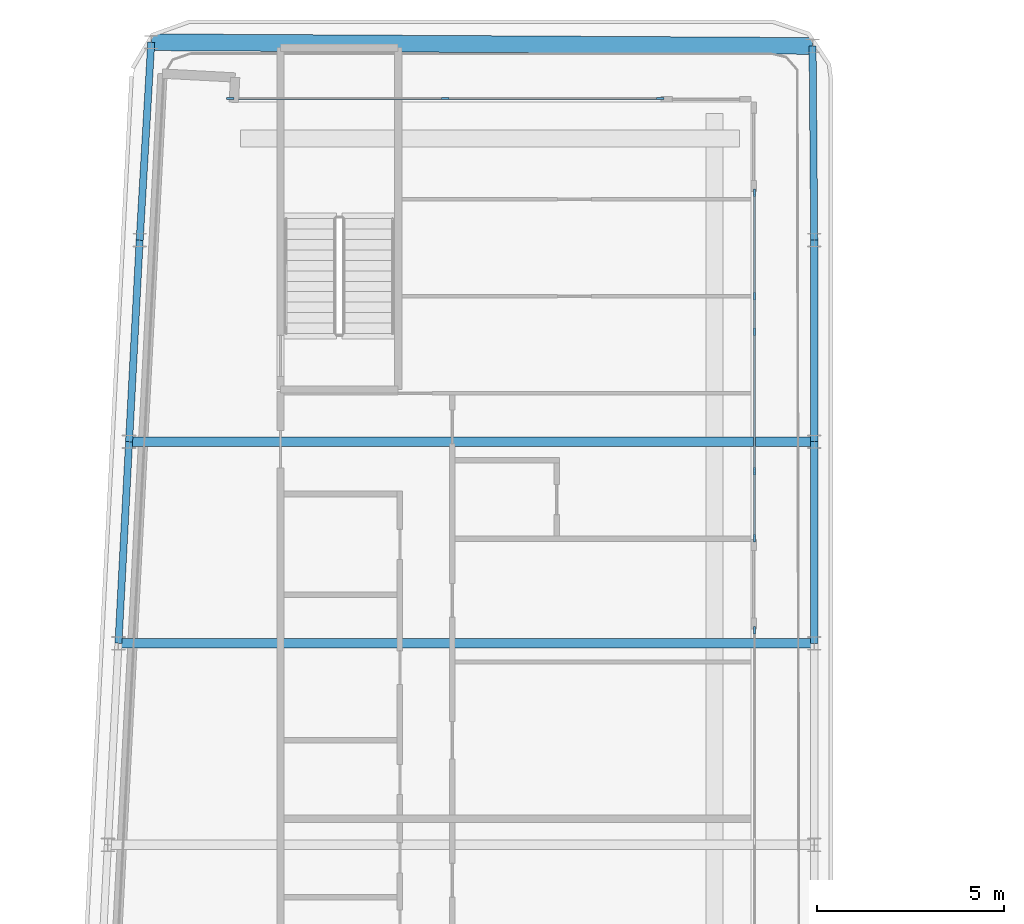
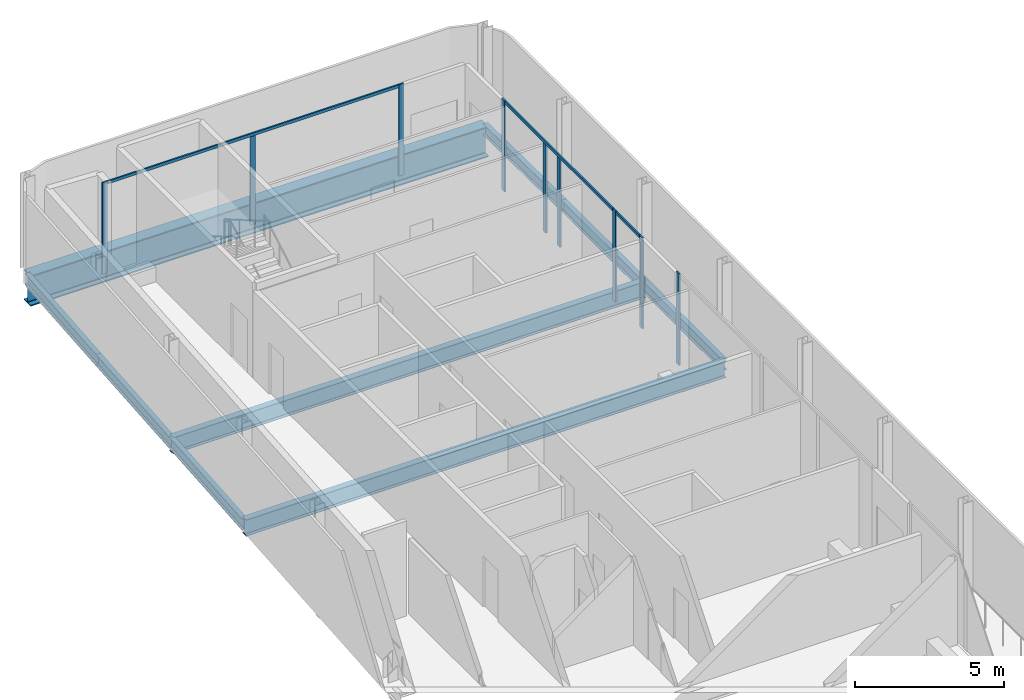
# One storey, part 6 of 17: 12 members, 9 beams, 4 elements without a shape of their own.
"""IFC4 building model written with IfcOpenShell, lengths in metres."""

import ifcopenshell
import ifcopenshell.guid

model = None  # the IFC model being written
_history = None  # IfcOwnerHistory: only IFC2X3 demands one
_inside = {}  # id of a spatial element -> (the spatial element, [elements in it])
_under = {}  # id of a project, library or spatial element -> (it, [spatial elements below it])
_declared = {}  # id of a project -> (the project, [libraries it declares])
_typed = {}  # id of a type object -> (the type object, [elements of that type])
_made_of = {}  # id of a material, layer set ... -> (it, [elements and type objects made of it])


def new_model(schema):
    """Start an empty IFC model of exactly this schema.

    Asked for "IFC4X3", IfcOpenShell would pick the latest addendum, in which some entities
    have other attributes; the version numbers below select the first issue.
    IFC2X3 requires an IfcOwnerHistory on every rooted entity: one is made here for all.
    """
    global model, _history
    if schema == "IFC4X3":
        model = ifcopenshell.file(schema_version=(4, 3, 0, 0))
    else:
        model = ifcopenshell.file(schema=schema)
    _inside.clear()
    _under.clear()
    _declared.clear()
    _typed.clear()
    _made_of.clear()
    _history = None
    if model.schema == "IFC2X3":
        org = make("IfcOrganization", Name="unknown")
        user = make(
            "IfcPersonAndOrganization",
            ThePerson=make("IfcPerson", FamilyName="unknown"),
            TheOrganization=org,
        )
        app = make(
            "IfcApplication",
            ApplicationDeveloper=org,
            Version="unknown",
            ApplicationFullName="unknown",
            ApplicationIdentifier="unknown",
        )
        _history = make(
            "IfcOwnerHistory",
            OwningUser=user,
            OwningApplication=app,
            ChangeAction="ADDED",
            CreationDate=0,
        )
    return model


def make(cls, **values):
    """One entity of the class cls with the attributes given. An attribute that is None is left unset."""
    return model.create_entity(
        cls, **{name: value for name, value in values.items() if value is not None}
    )


def rooted(cls, **values):
    """An entity with a GlobalId (a new one), such as an element, a storey or a relation."""
    return make(cls, GlobalId=ifcopenshell.guid.new(), OwnerHistory=_history, **values)


def si_unit(unit_type, name, prefix=None):
    """IfcSIUnit, for example si_unit("LENGTHUNIT", "METRE", prefix="MILLI")."""
    return make("IfcSIUnit", UnitType=unit_type, Prefix=prefix, Name=name)


def assignment(units):
    """IfcUnitAssignment: the units of a project."""
    return None if units is None else make("IfcUnitAssignment", Units=units)


def point(xyz):
    """IfcCartesianPoint."""
    return None if xyz is None else make("IfcCartesianPoint", Coordinates=xyz)


def direction(xyz):
    """IfcDirection."""
    return None if xyz is None else make("IfcDirection", DirectionRatios=xyz)


def frame(location, z_axis=None, x_axis=None):
    """IfcAxis2Placement3D, a coordinate frame: its origin and axes. An axis left out is left unset."""
    return make(
        "IfcAxis2Placement3D",
        Location=point(location),
        Axis=direction(z_axis),
        RefDirection=direction(x_axis),
    )


def frame_2d(location, x_axis=None):
    """IfcAxis2Placement2D, a coordinate frame in the plane: its origin and x axis."""
    return make(
        "IfcAxis2Placement2D", Location=point(location), RefDirection=direction(x_axis)
    )


def origin():
    """The frame at (0, 0, 0) with its axes left unset."""
    return frame((0.0, 0.0, 0.0))


def origin_2d():
    """The frame at (0, 0) in the plane with its x axis left unset."""
    return frame_2d((0.0, 0.0))


def place(relative_to, where):
    """IfcLocalPlacement: puts the frame where relative to a parent placement (None: the world)."""
    return make(
        "IfcLocalPlacement", PlacementRelTo=relative_to, RelativePlacement=where
    )


def context(
    kind, dimensions, precision=None, world=None, true_north=None, identifier=None
):
    """IfcGeometricRepresentationContext, for example the 3D "Model" context."""
    return make(
        "IfcGeometricRepresentationContext",
        ContextIdentifier=identifier,
        ContextType=kind,
        CoordinateSpaceDimension=dimensions,
        Precision=precision,
        WorldCoordinateSystem=world,
        TrueNorth=true_north,
    )


def subcontext(parent, identifier, kind, view, scale=None):
    """IfcGeometricRepresentationSubContext, for example "Body" below "Model"."""
    return make(
        "IfcGeometricRepresentationSubContext",
        ContextIdentifier=identifier,
        ContextType=kind,
        ParentContext=parent,
        TargetScale=scale,
        TargetView=view,
    )


def project(units=None, contexts=None):
    """IfcProject with its units and contexts."""
    return rooted(
        "IfcProject",
        Name="project",
        RepresentationContexts=contexts,
        UnitsInContext=assignment(units),
    )


def spatial(cls, under=None, at=None, **own):
    """A site, building, storey or space (cls), placed at a placement, below another one or the project."""
    s = rooted(cls, ObjectPlacement=at, **own)
    if under is not None:
        _under.setdefault(under.id(), (under, []))[1].append(s)
    return s


def profile(cls, at=None, kind="AREA", **sizes):
    """A parametric profile (cls). Its sizes go by their IFC names, for example OverallWidth=200.0."""
    return make(cls, ProfileType=kind, Position=at, **sizes)


def rectangle(**sizes):
    """IfcRectangleProfileDef."""
    return profile("IfcRectangleProfileDef", **sizes)


def i_section(**sizes):
    """IfcIShapeProfileDef."""
    return profile("IfcIShapeProfileDef", **sizes)


def extrude(swept, where, along, depth):
    """IfcExtrudedAreaSolid: the profile swept, set in the frame where, extruded along a direction by depth."""
    return make(
        "IfcExtrudedAreaSolid",
        SweptArea=swept,
        Position=where,
        ExtrudedDirection=direction(along),
        Depth=depth,
    )


def shape(context_of_items, identifier, shape_type, items):
    """IfcShapeRepresentation: the items that make up one representation, for example the "Body"."""
    return make(
        "IfcShapeRepresentation",
        ContextOfItems=context_of_items,
        RepresentationIdentifier=identifier,
        RepresentationType=shape_type,
        Items=items,
    )


def material(Name=None, Category=None):
    """IfcMaterial."""
    return make("IfcMaterial", Name=Name, Category=Category)


def layer(
    of_material, thickness, ventilated=None, Name=None, Category=None, Priority=None
):
    """IfcMaterialLayer: one layer of a wall or slab, of a material (None: an air gap)."""
    return make(
        "IfcMaterialLayer",
        Material=of_material,
        LayerThickness=thickness,
        IsVentilated=ventilated,
        Name=Name,
        Category=Category,
        Priority=Priority,
    )


def layer_set(layers, Name=None):
    """IfcMaterialLayerSet."""
    return make("IfcMaterialLayerSet", MaterialLayers=layers, LayerSetName=Name)


def material_profile(
    of_material, cross_section, Name=None, Category=None, Priority=None
):
    """IfcMaterialProfile: a cross section and its material."""
    return make(
        "IfcMaterialProfile",
        Name=Name,
        Material=of_material,
        Profile=cross_section,
        Priority=Priority,
        Category=Category,
    )


def profile_set(profiles, Name=None, composite=None):
    """IfcMaterialProfileSet."""
    return make(
        "IfcMaterialProfileSet",
        Name=Name,
        MaterialProfiles=profiles,
        CompositeProfile=composite,
    )


def made_of(thing, what):
    """Note that an element or type object is made of a material, layer set ...; save() writes the relation."""
    if what is not None:
        _made_of.setdefault(what.id(), (what, []))[1].append(thing)
    return thing


def type_object(cls, material=None, **own):
    """A type object (cls), such as IfcWallType, which elements share."""
    return made_of(rooted(cls, **own), material)


def element(
    cls,
    number,
    at=None,
    inside=None,
    cuts=None,
    type_object=None,
    material=None,
    context=None,
    identifier="Body",
    shape_type=None,
    held_by="IfcProductDefinitionShape",
    body=None,
    shapes=None,
    **own,
):
    """One element of the class cls, such as IfcWall. Its Tag is "e" and its number.

    at: its placement. inside: the storey or other place that contains it. cuts: it is an
    opening in that element (IfcRelVoidsElement). A single representation is given by context,
    identifier, shape_type and body (its items); several are given by shapes. held_by: the class
    of the entity that holds the representations. save() writes the other relations.
    """
    e = rooted(cls, Tag="e%d" % number, ObjectPlacement=at, **own)
    if body is not None:
        shapes = [shape(context, identifier, shape_type, body)]
    if shapes is not None:
        e.Representation = make(held_by, Representations=shapes)
    if inside is not None:
        _inside.setdefault(inside.id(), (inside, []))[1].append(e)
    if cuts is not None:
        rooted(
            "IfcRelVoidsElement", RelatingBuildingElement=cuts, RelatedOpeningElement=e
        )
    if type_object is not None:
        _typed.setdefault(type_object.id(), (type_object, []))[1].append(e)
    return made_of(e, material)


def aggregate(whole, parts):
    """IfcRelAggregates: a whole, such as a stair, and the parts it consists of."""
    return rooted("IfcRelAggregates", RelatingObject=whole, RelatedObjects=parts)


def save(model, path):
    """Write the relations noted so far, then the file.

    IfcRelAggregates (storeys below a building ...), IfcRelContainedInSpatialStructure (elements
    in a storey), IfcRelDefinesByType, IfcRelAssociatesMaterial and IfcRelDeclares: one each for
    every whole, place, type object, material and project.
    """
    for whole, parts in _under.values():
        aggregate(whole, parts)
    for where, things in _inside.values():
        rooted(
            "IfcRelContainedInSpatialStructure",
            RelatedElements=things,
            RelatingStructure=where,
        )
    for kind, things in _typed.values():
        rooted("IfcRelDefinesByType", RelatedObjects=things, RelatingType=kind)
    for what, things in _made_of.values():
        rooted("IfcRelAssociatesMaterial", RelatedObjects=things, RelatingMaterial=what)
    for by, libraries in _declared.values():
        rooted("IfcRelDeclares", RelatingContext=by, RelatedDefinitions=libraries)
    model.write(path)


model = new_model("IFC4")

# Units and contexts
model_context = context("Model", 3, precision=1e-05, world=origin(), true_north=direction((0.0, 1.0)))
body_context = subcontext(model_context, "Body", "Model", "MODEL_VIEW")
ifc_project = project(units=[si_unit("LENGTHUNIT", "METRE"), si_unit("AREAUNIT", "SQUARE_METRE"), si_unit("VOLUMEUNIT", "CUBIC_METRE"), si_unit("PLANEANGLEUNIT", "RADIAN"), si_unit("MASSUNIT", "GRAM", prefix="KILO")], contexts=[model_context])

# Site, building, storey
site_placement = place(None, origin())
site = spatial("IfcSite", under=ifc_project, at=site_placement, CompositionType="ELEMENT")
building_placement = place(site_placement, origin())
building = spatial("IfcBuilding", under=site, at=building_placement, Name="Kheshtan School and Residences Tower", CompositionType="ELEMENT")
storey_placement = place(building_placement, frame((0.0, 0.0, 346.10009765625)))
storey = spatial("IfcBuildingStorey", under=building, at=storey_placement, Name="L81", CompositionType="ELEMENT", Elevation=346.10009765625)

# Beams
ifc_material_1 = material(Name="Steel ASTM A992 Grade 50", Category="steel")
ifc_material_profile_1 = material_profile(ifc_material_1, i_section(OverallWidth=0.2529296875, OverallDepth=0.677978515625, WebThickness=0.01171875, FlangeThickness=0.016357421875, FilletRadius=0.0146484375, at=origin_2d()), Name="W690x125")
ifc_profile_set_1 = profile_set([ifc_material_profile_1], Name="Steel ASTM A992 Grade 50")
beam_type_1 = type_object("IfcBeamType", Name="Beam FB6 W690x125 ASTM A992 Grade 50", PredefinedType="BEAM", material=ifc_profile_set_1)
beam_1_placement = place(storey_placement, frame((47.60009765625, 72.60009765625, -0.489013671875), z_axis=(-1.0, 0.0, 0.0), x_axis=(0.0, -1.0, 0.0)))
element("IfcBeam", 1, at=beam_1_placement, inside=storey, type_object=beam_type_1, Name="Floor beam C087", PredefinedType="BEAM", context=body_context, shape_type="SweptSolid", body=[
    extrude(i_section(OverallWidth=0.2529296875, OverallDepth=0.677978515625, WebThickness=0.01171875, FlangeThickness=0.016357421875, FilletRadius=0.0146484375, at=origin_2d()), origin(), (0.0, 0.0, 1.0), 18.64208984375),
])
beam_2_placement = place(storey_placement, frame((29.242919921875, 78.0, -0.489013671875), z_axis=(1.0, 0.0, 0.0), x_axis=(0.0, 1.0, 0.0)))
element("IfcBeam", 2, at=beam_2_placement, inside=storey, type_object=beam_type_1, Name="Floor beam C088", PredefinedType="BEAM", context=body_context, shape_type="SweptSolid", body=[
    extrude(i_section(OverallWidth=0.2529296875, OverallDepth=0.677978515625, WebThickness=0.01171875, FlangeThickness=0.016357421875, FilletRadius=0.0146484375, at=origin_2d()), origin(), (0.0, 0.0, 1.0), 18.357177734375),
])
ifc_material_profile_2 = material_profile(ifc_material_1, i_section(OverallWidth=0.18994140625, OverallDepth=0.45703125, WebThickness=0.009033203125, FlangeThickness=0.014404296875, FilletRadius=0.01318359375, at=origin_2d()), Name="W460x74")
ifc_profile_set_2 = profile_set([ifc_material_profile_2], Name="Steel ASTM A992 Grade 50")
beam_type_2 = type_object("IfcBeamType", Name="Beam SP4 W460x74 ASTM A992 Grade 50", PredefinedType="BEAM", material=ifc_profile_set_2)
beam_3_placement = place(storey_placement, frame((47.555908203125, 88.60498046875, -0.378662109375), z_axis=(0.008489375122, -0.999963964606, 0.0), x_axis=(0.999963964606, 0.008489375122, 0.0)))
element("IfcBeam", 3, at=beam_3_placement, inside=storey, type_object=beam_type_2, Name="Spandrel beam C094-C091", PredefinedType="BEAM", context=body_context, shape_type="SweptSolid", body=[
    extrude(i_section(OverallWidth=0.18994140625, OverallDepth=0.45703125, WebThickness=0.009033203125, FlangeThickness=0.014404296875, FilletRadius=0.01318359375, at=origin_2d()), origin(), (0.0, 0.0, 1.0), 5.205322265625),
])
for number, where, z_axis, x_axis, name in (
    (4, (47.60009765625, 83.39990234375, -0.378662109375), (0.0, -1.0, 0.0), (1.0, 0.0, 0.0), "Spandrel beam C091-C089"),
    (5, (47.60009765625, 78.0, -0.378662109375), (0.0, -1.0, 0.0), (1.0, 0.0, 0.0), "Spandrel beam C089-C087"),
):
    element("IfcBeam", number, at=place(storey_placement, frame(where, z_axis=z_axis, x_axis=x_axis)), inside=storey, type_object=beam_type_2, Name=name, PredefinedType="BEAM", context=body_context, shape_type="SweptSolid", body=[
        extrude(i_section(OverallWidth=0.18994140625, OverallDepth=0.45703125, WebThickness=0.009033203125, FlangeThickness=0.014404296875, FilletRadius=0.01318359375, at=origin_2d()), origin(), (0.0, 0.0, 1.0), 5.39990234375),
    ])
for number, where, z_axis, x_axis, name in (
    (6, (28.9580078125, 72.60009765625, -0.378662109375), (0.052689166816, 0.998610961136, 0.0), (-0.998610961136, 0.052689166816, 0.0), "Spandrel beam C086-C088"),
    (7, (29.242919921875, 78.0, -0.378662109375), (0.052554093665, 0.998618078766, 0.0), (-0.998618078766, 0.052554093665, 0.0), "Spandrel beam C088-C090"),
):
    element("IfcBeam", number, at=place(storey_placement, frame(where, z_axis=z_axis, x_axis=x_axis)), inside=storey, type_object=beam_type_2, Name=name, PredefinedType="BEAM", context=body_context, shape_type="SweptSolid", body=[
        extrude(i_section(OverallWidth=0.18994140625, OverallDepth=0.45703125, WebThickness=0.009033203125, FlangeThickness=0.014404296875, FilletRadius=0.01318359375, at=origin_2d()), origin(), (0.0, 0.0, 1.0), 5.407470703125),
    ])
beam_4_placement = place(storey_placement, frame((29.527099609375, 83.39990234375, -0.378662109375), z_axis=(0.058309897593, 0.998298530422, 0.0), x_axis=(-0.998298530422, 0.058309897593, 0.0)))
element("IfcBeam", 8, at=beam_4_placement, inside=storey, type_object=beam_type_2, Name="Spandrel beam C090-C095", PredefinedType="BEAM", context=body_context, shape_type="SweptSolid", body=[
    extrude(i_section(OverallWidth=0.18994140625, OverallDepth=0.45703125, WebThickness=0.009033203125, FlangeThickness=0.014404296875, FilletRadius=0.01318359375, at=origin_2d()), origin(), (0.0, 0.0, 1.0), 5.313232421875),
])

# Curtain wall, members
ifc_material_2 = material(Name="Clear low-e glass in thermally broken aluminium frame", Category="aluminium")
ifc_layer = layer(ifc_material_2, 0.199951171875)
ifc_layer_set = layer_set([ifc_layer], Name="Curtain wall CW-L")
curtain_wall_type = type_object("IfcCurtainWallType", Name="Curtain wall CW-L", PredefinedType="NOTDEFINED", material=ifc_layer_set)
curtain_wall_1_placement = place(storey_placement, origin())
curtain_wall_1 = element("IfcCurtainWall", 9, at=curtain_wall_1_placement, inside=storey, type_object=curtain_wall_type, Name="Curtain wall CWL3", PredefinedType="NOTDEFINED")
ifc_material_3 = material(Name="Thermally broken aluminium, dark bronze anodised", Category="aluminium")
ifc_material_profile_3 = material_profile(ifc_material_3, rectangle(XDim=0.06005859375, YDim=0.199951171875, at=origin_2d()), Name="CW-L mullion 60x200")
ifc_profile_set_3 = profile_set([ifc_material_profile_3], Name="Thermally broken aluminium, dark bronze anodised")
member_type_1 = type_object("IfcMemberType", Name="CW-L mullion 60x200", PredefinedType="MULLION", material=ifc_profile_set_3)
member_1_placement = place(storey_placement, frame((31.9541015625, 87.199951171875, 0.0), z_axis=(0.0, 0.0, 1.0), x_axis=(0.0, 1.0, 0.0)))
member_1 = element("IfcMember", 10, at=member_1_placement, type_object=member_type_1, Name="CWL3 mullion 1", PredefinedType="MULLION", context=body_context, shape_type="SweptSolid", body=[
    extrude(rectangle(XDim=0.06005859375, YDim=0.199951171875, at=origin_2d()), origin(), (0.0, 0.0, 1.0), 3.75),
])
member_2_placement = place(storey_placement, frame((37.7119140625, 87.199951171875, 0.0), z_axis=(0.0, 0.0, 1.0), x_axis=(0.0, 1.0, 0.0)))
member_2 = element("IfcMember", 11, at=member_2_placement, type_object=member_type_1, Name="CWL3 mullion 2", PredefinedType="MULLION", context=body_context, shape_type="SweptSolid", body=[
    extrude(rectangle(XDim=0.06005859375, YDim=0.199951171875, at=origin_2d()), origin(), (0.0, 0.0, 1.0), 3.6298828125),
])
member_3_placement = place(storey_placement, frame((43.469970703125, 87.199951171875, 0.0), z_axis=(0.0, 0.0, 1.0), x_axis=(0.0, 1.0, 0.0)))
member_3 = element("IfcMember", 12, at=member_3_placement, type_object=member_type_1, Name="CWL3 mullion 3", PredefinedType="MULLION", context=body_context, shape_type="SweptSolid", body=[
    extrude(rectangle(XDim=0.06005859375, YDim=0.199951171875, at=origin_2d()), origin(), (0.0, 0.0, 1.0), 3.75),
])

curtain_wall_2_placement = place(storey_placement, origin())
curtain_wall_2 = element("IfcCurtainWall", 13, at=curtain_wall_2_placement, inside=storey, type_object=curtain_wall_type, Name="Curtain wall CWL4", PredefinedType="NOTDEFINED")
member_4_placement = place(storey_placement, frame((46.0, 84.669921875, 0.0), z_axis=(0.0, 0.0, 1.0), x_axis=(1.0, 0.0, 0.0)))
member_4 = element("IfcMember", 14, at=member_4_placement, type_object=member_type_1, Name="CWL4 mullion 1", PredefinedType="MULLION", context=body_context, shape_type="SweptSolid", body=[
    extrude(rectangle(XDim=0.06005859375, YDim=0.199951171875, at=origin_2d()), origin(), (0.0, 0.0, 1.0), 3.75),
])
member_5_placement = place(storey_placement, frame((46.0, 81.89990234375, 0.0), z_axis=(0.0, 0.0, 1.0), x_axis=(1.0, 0.0, 0.0)))
member_5 = element("IfcMember", 15, at=member_5_placement, type_object=member_type_1, Name="CWL4 mullion 2", PredefinedType="MULLION", context=body_context, shape_type="SweptSolid", body=[
    extrude(rectangle(XDim=0.06005859375, YDim=0.199951171875, at=origin_2d()), origin(), (0.0, 0.0, 1.0), 3.6298828125),
])
member_6_placement = place(storey_placement, frame((46.0, 80.941162109375, 0.0), z_axis=(0.0, 0.0, 1.0), x_axis=(1.0, 0.0, 0.0)))
member_6 = element("IfcMember", 16, at=member_6_placement, type_object=member_type_1, Name="CWL4 mullion 3", PredefinedType="MULLION", context=body_context, shape_type="SweptSolid", body=[
    extrude(rectangle(XDim=0.06005859375, YDim=0.199951171875, at=origin_2d()), origin(), (0.0, 0.0, 1.0), 3.6298828125),
])
member_7_placement = place(storey_placement, frame((46.0, 77.21240234375, 0.0), z_axis=(0.0, 0.0, 1.0), x_axis=(1.0, 0.0, 0.0)))
member_7 = element("IfcMember", 17, at=member_7_placement, type_object=member_type_1, Name="CWL4 mullion 4", PredefinedType="MULLION", context=body_context, shape_type="SweptSolid", body=[
    extrude(rectangle(XDim=0.06005859375, YDim=0.199951171875, at=origin_2d()), origin(), (0.0, 0.0, 1.0), 3.75),
])

# Curtain wall, member
curtain_wall_3_placement = place(storey_placement, origin())
curtain_wall_3 = element("IfcCurtainWall", 18, at=curtain_wall_3_placement, inside=storey, type_object=curtain_wall_type, Name="Curtain wall CWL4j", PredefinedType="NOTDEFINED")
member_8_placement = place(storey_placement, frame((46.0, 75.41259765625, 0.0), z_axis=(0.0, 0.0, 1.0), x_axis=(1.0, 0.0, 0.0)))
member_8 = element("IfcMember", 19, at=member_8_placement, type_object=member_type_1, Name="CWL4j mullion 2", PredefinedType="MULLION", context=body_context, shape_type="SweptSolid", body=[
    extrude(rectangle(XDim=0.06005859375, YDim=0.199951171875, at=origin_2d()), origin(), (0.0, 0.0, 1.0), 3.75),
])

curtain_wall_4_placement = place(storey_placement, origin())
curtain_wall_4 = element("IfcCurtainWall", 20, at=curtain_wall_4_placement, inside=storey, type_object=curtain_wall_type, Name="Curtain wall CWL4k", PredefinedType="NOTDEFINED")
member_9_placement = place(storey_placement, frame((46.0, 72.952392578125, 0.0), z_axis=(0.0, 0.0, 1.0), x_axis=(1.0, 0.0, 0.0)))
member_9 = element("IfcMember", 21, at=member_9_placement, type_object=member_type_1, Name="CWL4k mullion 1", PredefinedType="MULLION", context=body_context, shape_type="SweptSolid", body=[
    extrude(rectangle(XDim=0.06005859375, YDim=0.199951171875, at=origin_2d()), origin(), (0.0, 0.0, 1.0), 3.75),
])
aggregate(curtain_wall_4, [member_9])

# Member
ifc_material_profile_4 = material_profile(ifc_material_3, rectangle(XDim=0.06005859375, YDim=0.1201171875, at=origin_2d()), Name="CW-L transom 60x120")
ifc_profile_set_4 = profile_set([ifc_material_profile_4], Name="Thermally broken aluminium, dark bronze anodised")
member_type_2 = type_object("IfcMemberType", Name="CW-L transom 60x120", PredefinedType="USERDEFINED", material=ifc_profile_set_4)
member_10_placement = place(storey_placement, frame((31.98388671875, 87.199951171875, 3.68994140625), z_axis=(1.0, 0.0, 0.0), x_axis=(0.0, 1.0, 0.0)))
member_10 = element("IfcMember", 22, at=member_10_placement, type_object=member_type_2, Name="CWL3 transom 1", ObjectType="TRANSOM", PredefinedType="USERDEFINED", context=body_context, shape_type="SweptSolid", body=[
    extrude(rectangle(XDim=0.06005859375, YDim=0.1201171875, at=origin_2d()), origin(), (0.0, 0.0, 1.0), 11.4560546875),
])

aggregate(curtain_wall_1, [member_1, member_2, member_3, member_10])

member_11_placement = place(storey_placement, frame((46.0, 84.639892578125, 3.68994140625), z_axis=(0.0, -1.0, 0.0), x_axis=(1.0, 0.0, 0.0)))
member_11 = element("IfcMember", 23, at=member_11_placement, type_object=member_type_2, Name="CWL4 transom 1", ObjectType="TRANSOM", PredefinedType="USERDEFINED", context=body_context, shape_type="SweptSolid", body=[
    extrude(rectangle(XDim=0.06005859375, YDim=0.1201171875, at=origin_2d()), origin(), (0.0, 0.0, 1.0), 7.3974609375),
])

aggregate(curtain_wall_2, [member_4, member_5, member_6, member_7, member_11])

member_12_placement = place(storey_placement, frame((46.0, 77.1826171875, 3.68994140625), z_axis=(0.0, -1.0, 0.0), x_axis=(1.0, 0.0, 0.0)))
member_12 = element("IfcMember", 24, at=member_12_placement, type_object=member_type_2, Name="CWL4j transom 1", ObjectType="TRANSOM", PredefinedType="USERDEFINED", context=body_context, shape_type="SweptSolid", body=[
    extrude(rectangle(XDim=0.06005859375, YDim=0.1201171875, at=origin_2d()), origin(), (0.0, 0.0, 1.0), 1.740234375),
])

aggregate(curtain_wall_3, [member_8, member_12])

# Beam
ifc_material_profile_5 = material_profile(ifc_material_1, i_section(OverallWidth=0.449951171875, OverallDepth=1.25, WebThickness=0.02490234375, FlangeThickness=0.044921875, FilletRadius=0.03759765625, at=origin_2d()), Name="WWF1250x546")
ifc_profile_set_5 = profile_set([ifc_material_profile_5], Name="Steel ASTM A992 Grade 50")
beam_type_3 = type_object("IfcBeamType", Name="Transfer girder TG4 WWF1250x546 ASTM A992 Grade 50", PredefinedType="BEAM", material=ifc_profile_set_5)
beam_5_placement = place(storey_placement, frame((29.8369140625, 88.7041015625, -0.775146484375), z_axis=(0.999984353621, -0.005593971197, 0.0), x_axis=(0.005593971197, 0.999984353621, 0.0)))
element("IfcBeam", 25, at=beam_5_placement, inside=storey, type_object=beam_type_3, Name="Transfer girder C095-C094", PredefinedType="BEAM", context=body_context, shape_type="SweptSolid", body=[
    extrude(i_section(OverallWidth=0.449951171875, OverallDepth=1.25, WebThickness=0.02490234375, FlangeThickness=0.044921875, FilletRadius=0.03759765625, at=origin_2d()), origin(), (0.0, 0.0, 1.0), 17.71923828125),
])

save(model, "model.ifc")
